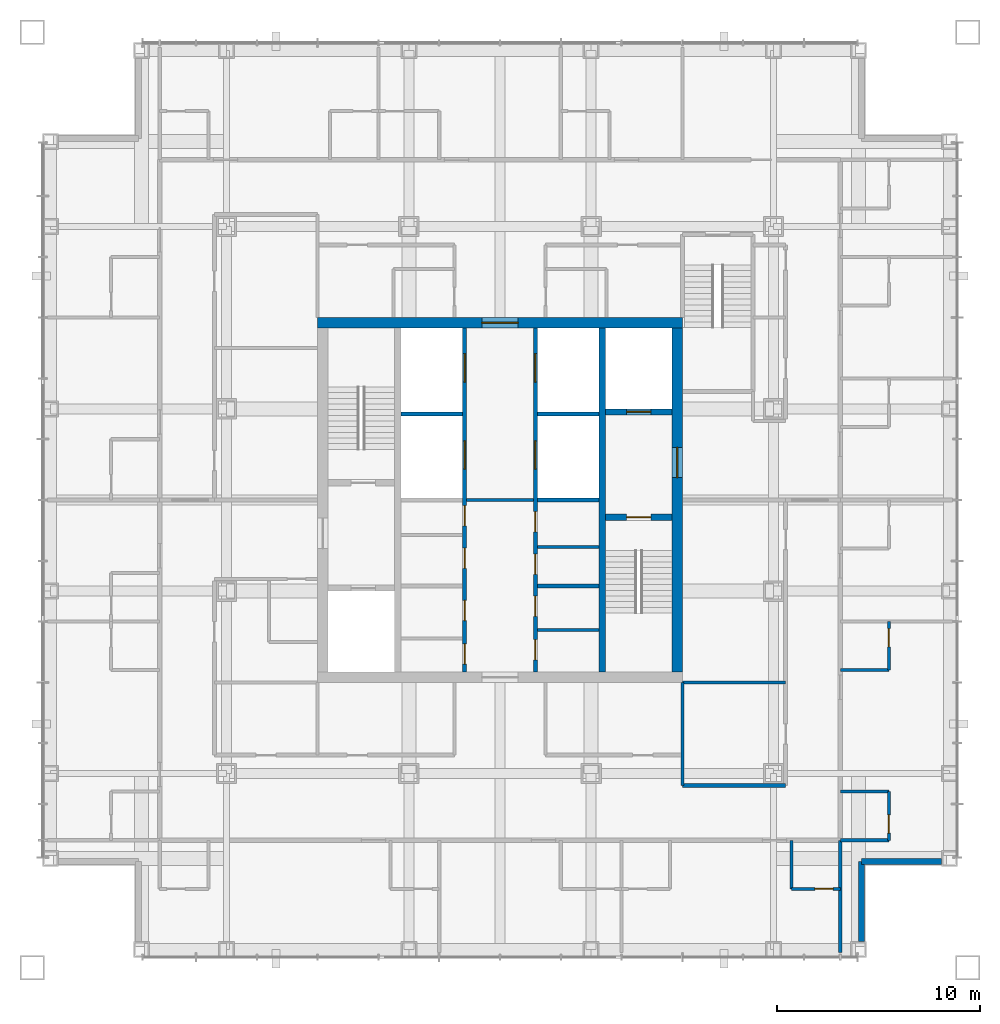
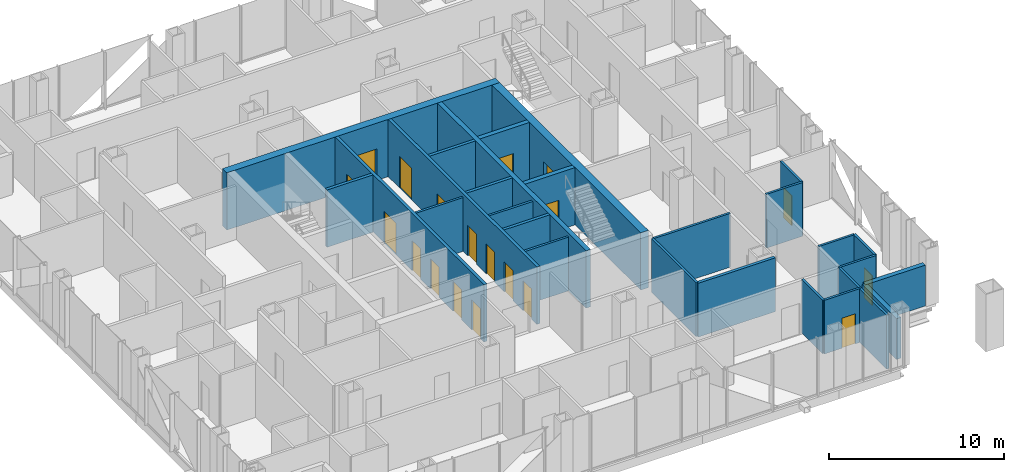
# One storey, part 9 of 17: 27 walls, 19 doors, 19 openings.
"""IFC4 building model written with IfcOpenShell, lengths in metres."""

from ifc_helpers import new_model, si_unit, direction, frame, frame_2d, origin, place, context, subcontext, project, spatial, rectangle, extrude, material, layer, layer_set, type_object, element, fill, save


model = new_model("IFC4")

# Units and contexts
model_context = context("Model", 3, precision=1e-05, world=origin(), true_north=direction((0.0, 1.0)))
body_context = subcontext(model_context, "Body", "Model", "MODEL_VIEW")
ifc_project = project(units=[si_unit("LENGTHUNIT", "METRE"), si_unit("AREAUNIT", "SQUARE_METRE"), si_unit("VOLUMEUNIT", "CUBIC_METRE"), si_unit("PLANEANGLEUNIT", "RADIAN"), si_unit("MASSUNIT", "GRAM", prefix="KILO")], contexts=[model_context])

# Site, building, storey
site_placement = place(None, origin())
site = spatial("IfcSite", under=ifc_project, at=site_placement, CompositionType="ELEMENT")
building_placement = place(site_placement, origin())
building = spatial("IfcBuilding", under=site, at=building_placement, Name="Malebo Sky Hospital", CompositionType="ELEMENT")
storey_placement = place(building_placement, frame((0.0, 0.0, 185.0)))
storey = spatial("IfcBuildingStorey", under=building, at=storey_placement, Name="L44", CompositionType="ELEMENT", Elevation=185.0)

# Wall, openings, doors
ifc_material_1 = material(Name="Concrete C80/95", Category="concrete")
ifc_layer_1 = layer(ifc_material_1, 0.199951171875)
ifc_layer_set_1 = layer_set([ifc_layer_1], Name="CORE INNER WALL 200")
wall_type_1 = type_object("IfcWallType", Name="CORE INNER WALL 200", PredefinedType="SHEAR", material=ifc_layer_set_1)
wall_1_placement = place(storey_placement, frame((58.25, 53.5, 0.0), z_axis=(0.0, 0.0, 1.0), x_axis=(0.0, 1.0, 0.0)))
wall_1 = element("IfcWall", 1, at=wall_1_placement, inside=storey, type_object=wall_type_1, Name="Core wall LW L44", PredefinedType="SHEAR", context=body_context, shape_type="SweptSolid", body=[
    extrude(rectangle(XDim=17.0, YDim=0.199951171875, at=frame_2d((8.5, 0.0))), origin(), (0.0, 0.0, 1.0), 4.0),
])
opening_1_placement = place(wall_1_placement, frame((0.392578125, 0.0, 0.0)))
opening_1 = element("IfcOpeningElement", 2, at=opening_1_placement, cuts=wall_1, Name="Opening D17", PredefinedType="OPENING", context=body_context, shape_type="SweptSolid", body=[
    extrude(rectangle(XDim=1.0, YDim=2.10009765625, at=frame_2d((0.5, 1.050048828125))), frame((0.0, 0.10986328125, 0.0), z_axis=(0.0, -1.0, 0.0), x_axis=(1.0, 0.0, 0.0)), (0.0, 0.0, 1.0), 0.219970703125),
])
opening_2_placement = place(wall_1_placement, frame((2.54248046875, 0.0, 0.0)))
opening_2 = element("IfcOpeningElement", 3, at=opening_2_placement, cuts=wall_1, Name="Opening D17", PredefinedType="OPENING", context=body_context, shape_type="SweptSolid", body=[
    extrude(rectangle(XDim=1.0, YDim=2.10009765625, at=frame_2d((0.5, 1.050048828125))), frame((0.0, 0.10986328125, 0.0), z_axis=(0.0, -1.0, 0.0), x_axis=(1.0, 0.0, 0.0)), (0.0, 0.0, 1.0), 0.219970703125),
])
opening_3_placement = place(wall_1_placement, frame((5.12744140625, 0.0, 0.0)))
opening_3 = element("IfcOpeningElement", 4, at=opening_3_placement, cuts=wall_1, Name="Opening D17", PredefinedType="OPENING", context=body_context, shape_type="SweptSolid", body=[
    extrude(rectangle(XDim=1.0, YDim=2.10009765625, at=frame_2d((0.5, 1.050048828125))), frame((0.0, 0.10986328125, 0.0), z_axis=(0.0, -1.0, 0.0), x_axis=(1.0, 0.0, 0.0)), (0.0, 0.0, 1.0), 0.219970703125),
])
opening_4_placement = place(wall_1_placement, frame((7.2275390625, 0.0, 0.0)))
opening_4 = element("IfcOpeningElement", 5, at=opening_4_placement, cuts=wall_1, Name="Opening D17", PredefinedType="OPENING", context=body_context, shape_type="SweptSolid", body=[
    extrude(rectangle(XDim=1.0, YDim=2.10009765625, at=frame_2d((0.5, 1.050048828125))), frame((0.0, 0.10986328125, 0.0), z_axis=(0.0, -1.0, 0.0), x_axis=(1.0, 0.0, 0.0)), (0.0, 0.0, 1.0), 0.219970703125),
])
opening_5_placement = place(wall_1_placement, frame((10.02490234375, 0.0, 0.0)))
opening_5 = element("IfcOpeningElement", 6, at=opening_5_placement, cuts=wall_1, Name="Opening LD1", PredefinedType="OPENING", context=body_context, shape_type="SweptSolid", body=[
    extrude(rectangle(XDim=1.39990234375, YDim=2.199951171875, at=frame_2d((0.699951171875, 1.10009765625))), frame((0.0, 0.10986328125, 0.0), z_axis=(0.0, -1.0, 0.0), x_axis=(1.0, 0.0, 0.0)), (0.0, 0.0, 1.0), 0.219970703125),
])
opening_6_placement = place(wall_1_placement, frame((14.324951171875, 0.0, 0.0)))
opening_6 = element("IfcOpeningElement", 7, at=opening_6_placement, cuts=wall_1, Name="Opening LD1", PredefinedType="OPENING", context=body_context, shape_type="SweptSolid", body=[
    extrude(rectangle(XDim=1.39990234375, YDim=2.199951171875, at=frame_2d((0.699951171875, 1.10009765625))), frame((0.0, 0.10986328125, 0.0), z_axis=(0.0, -1.0, 0.0), x_axis=(1.0, 0.0, 0.0)), (0.0, 0.0, 1.0), 0.219970703125),
])
ifc_material_2 = material(Name="Hardwood-faced door leaf in steel frame", Category="steel")
door_type_1 = type_object("IfcDoorType", Name="FIRE DOOR 1000", OperationType="SINGLE_SWING_LEFT", PredefinedType="DOOR", material=ifc_material_2)
door_1_placement = place(opening_1_placement, origin())
door_1 = element("IfcDoor", 8, at=door_1_placement, inside=storey, type_object=door_type_1, Name="Supplies store door", OperationType="SINGLE_SWING_RIGHT", OverallHeight=2.10009765625, OverallWidth=1.0, PredefinedType="DOOR", context=body_context, shape_type="SweptSolid", body=[
    extrude(rectangle(XDim=1.0, YDim=2.10009765625, at=frame_2d((0.5, 1.050048828125))), frame((0.0, 0.02490234375, 0.0), z_axis=(0.0, -1.0, 0.0), x_axis=(1.0, 0.0, 0.0)), (0.0, 0.0, 1.0), 0.050048828125),
])
fill(opening_1, door_1)
door_2_placement = place(opening_2_placement, origin())
door_2 = element("IfcDoor", 9, at=door_2_placement, inside=storey, type_object=door_type_1, Name="Mattress store door", OperationType="SINGLE_SWING_RIGHT", OverallHeight=2.10009765625, OverallWidth=1.0, PredefinedType="DOOR", context=body_context, shape_type="SweptSolid", body=[
    extrude(rectangle(XDim=1.0, YDim=2.10009765625, at=frame_2d((0.5, 1.050048828125))), frame((0.0, 0.02490234375, 0.0), z_axis=(0.0, -1.0, 0.0), x_axis=(1.0, 0.0, 0.0)), (0.0, 0.0, 1.0), 0.050048828125),
])
fill(opening_2, door_2)
door_3_placement = place(opening_3_placement, origin())
door_3 = element("IfcDoor", 10, at=door_3_placement, inside=storey, type_object=door_type_1, Name="Cleaning equipment store door", OperationType="SINGLE_SWING_RIGHT", OverallHeight=2.10009765625, OverallWidth=1.0, PredefinedType="DOOR", context=body_context, shape_type="SweptSolid", body=[
    extrude(rectangle(XDim=1.0, YDim=2.10009765625, at=frame_2d((0.5, 1.050048828125))), frame((0.0, 0.02490234375, 0.0), z_axis=(0.0, -1.0, 0.0), x_axis=(1.0, 0.0, 0.0)), (0.0, 0.0, 1.0), 0.050048828125),
])
fill(opening_3, door_3)
door_4_placement = place(opening_4_placement, origin())
door_4 = element("IfcDoor", 11, at=door_4_placement, inside=storey, type_object=door_type_1, Name="Archive store door", OperationType="SINGLE_SWING_RIGHT", OverallHeight=2.10009765625, OverallWidth=1.0, PredefinedType="DOOR", context=body_context, shape_type="SweptSolid", body=[
    extrude(rectangle(XDim=1.0, YDim=2.10009765625, at=frame_2d((0.5, 1.050048828125))), frame((0.0, 0.02490234375, 0.0), z_axis=(0.0, -1.0, 0.0), x_axis=(1.0, 0.0, 0.0)), (0.0, 0.0, 1.0), 0.050048828125),
])
fill(opening_4, door_4)
ifc_material_3 = material(Name="Stainless steel sliding landing door", Category="steel")
door_type_2 = type_object("IfcDoorType", Name="LIFT LANDING DOOR 1400", OperationType="SLIDING_TO_LEFT", PredefinedType="DOOR", material=ifc_material_3)
door_5_placement = place(opening_5_placement, origin())
door_5 = element("IfcDoor", 12, at=door_5_placement, inside=storey, type_object=door_type_2, Name="Lift W3 landing door", OperationType="SLIDING_TO_LEFT", OverallHeight=2.199951171875, OverallWidth=1.39990234375, PredefinedType="DOOR", context=body_context, shape_type="SweptSolid", body=[
    extrude(rectangle(XDim=1.39990234375, YDim=2.199951171875, at=frame_2d((0.699951171875, 1.10009765625))), frame((0.0, 0.02490234375, 0.0), z_axis=(0.0, -1.0, 0.0), x_axis=(1.0, 0.0, 0.0)), (0.0, 0.0, 1.0), 0.050048828125),
])
fill(opening_5, door_5)
door_6_placement = place(opening_6_placement, origin())
door_6 = element("IfcDoor", 13, at=door_6_placement, inside=storey, type_object=door_type_2, Name="Lift W4 landing door", OperationType="SLIDING_TO_LEFT", OverallHeight=2.199951171875, OverallWidth=1.39990234375, PredefinedType="DOOR", context=body_context, shape_type="SweptSolid", body=[
    extrude(rectangle(XDim=1.39990234375, YDim=2.199951171875, at=frame_2d((0.699951171875, 1.10009765625))), frame((0.0, 0.02490234375, 0.0), z_axis=(0.0, -1.0, 0.0), x_axis=(1.0, 0.0, 0.0)), (0.0, 0.0, 1.0), 0.050048828125),
])
fill(opening_6, door_6)

wall_2_placement = place(storey_placement, frame((61.75, 53.5, 0.0), z_axis=(0.0, 0.0, 1.0), x_axis=(0.0, 1.0, 0.0)))
wall_2 = element("IfcWall", 14, at=wall_2_placement, inside=storey, type_object=wall_type_1, Name="Core wall LE L44", PredefinedType="SHEAR", context=body_context, shape_type="SweptSolid", body=[
    extrude(rectangle(XDim=17.0, YDim=0.199951171875, at=frame_2d((8.5, 0.0))), origin(), (0.0, 0.0, 1.0), 4.0),
])
opening_7_placement = place(wall_2_placement, frame((0.60009765625, 0.0, 0.0)))
opening_7 = element("IfcOpeningElement", 15, at=opening_7_placement, cuts=wall_2, Name="Opening D17", PredefinedType="OPENING", context=body_context, shape_type="SweptSolid", body=[
    extrude(rectangle(XDim=1.0, YDim=2.10009765625, at=frame_2d((0.5, 1.050048828125))), frame((0.0, 0.10986328125, 0.0), z_axis=(0.0, -1.0, 0.0), x_axis=(1.0, 0.0, 0.0)), (0.0, 0.0, 1.0), 0.219970703125),
])
opening_8_placement = place(wall_2_placement, frame((2.75, 0.0, 0.0)))
opening_8 = element("IfcOpeningElement", 16, at=opening_8_placement, cuts=wall_2, Name="Opening D17", PredefinedType="OPENING", context=body_context, shape_type="SweptSolid", body=[
    extrude(rectangle(XDim=1.0, YDim=2.10009765625, at=frame_2d((0.5, 1.050048828125))), frame((0.0, 0.10986328125, 0.0), z_axis=(0.0, -1.0, 0.0), x_axis=(1.0, 0.0, 0.0)), (0.0, 0.0, 1.0), 0.219970703125),
])
opening_9_placement = place(wall_2_placement, frame((4.823974609375, 0.0, 0.0)))
opening_9 = element("IfcOpeningElement", 17, at=opening_9_placement, cuts=wall_2, Name="Opening D17", PredefinedType="OPENING", context=body_context, shape_type="SweptSolid", body=[
    extrude(rectangle(XDim=1.0, YDim=2.10009765625, at=frame_2d((0.5, 1.050048828125))), frame((0.0, 0.10986328125, 0.0), z_axis=(0.0, -1.0, 0.0), x_axis=(1.0, 0.0, 0.0)), (0.0, 0.0, 1.0), 0.219970703125),
])
opening_10_placement = place(wall_2_placement, frame((6.924072265625, 0.0, 0.0)))
opening_10 = element("IfcOpeningElement", 18, at=opening_10_placement, cuts=wall_2, Name="Opening D17", PredefinedType="OPENING", context=body_context, shape_type="SweptSolid", body=[
    extrude(rectangle(XDim=1.0, YDim=2.10009765625, at=frame_2d((0.5, 1.050048828125))), frame((0.0, 0.10986328125, 0.0), z_axis=(0.0, -1.0, 0.0), x_axis=(1.0, 0.0, 0.0)), (0.0, 0.0, 1.0), 0.219970703125),
])
opening_11_placement = place(wall_2_placement, frame((10.02490234375, 0.0, 0.0)))
opening_11 = element("IfcOpeningElement", 19, at=opening_11_placement, cuts=wall_2, Name="Opening LD1", PredefinedType="OPENING", context=body_context, shape_type="SweptSolid", body=[
    extrude(rectangle(XDim=1.39990234375, YDim=2.199951171875, at=frame_2d((0.699951171875, 1.10009765625))), frame((0.0, 0.10986328125, 0.0), z_axis=(0.0, -1.0, 0.0), x_axis=(1.0, 0.0, 0.0)), (0.0, 0.0, 1.0), 0.219970703125),
])
opening_12_placement = place(wall_2_placement, frame((14.324951171875, 0.0, 0.0)))
opening_12 = element("IfcOpeningElement", 20, at=opening_12_placement, cuts=wall_2, Name="Opening LD1", PredefinedType="OPENING", context=body_context, shape_type="SweptSolid", body=[
    extrude(rectangle(XDim=1.39990234375, YDim=2.199951171875, at=frame_2d((0.699951171875, 1.10009765625))), frame((0.0, 0.10986328125, 0.0), z_axis=(0.0, -1.0, 0.0), x_axis=(1.0, 0.0, 0.0)), (0.0, 0.0, 1.0), 0.219970703125),
])
door_7_placement = place(opening_7_placement, origin())
door_7 = element("IfcDoor", 21, at=door_7_placement, inside=storey, type_object=door_type_1, Name="General store door", OperationType="SINGLE_SWING_RIGHT", OverallHeight=2.10009765625, OverallWidth=1.0, PredefinedType="DOOR", context=body_context, shape_type="SweptSolid", body=[
    extrude(rectangle(XDim=1.0, YDim=2.10009765625, at=frame_2d((0.5, 1.050048828125))), frame((0.0, 0.02490234375, 0.0), z_axis=(0.0, -1.0, 0.0), x_axis=(1.0, 0.0, 0.0)), (0.0, 0.0, 1.0), 0.050048828125),
])
fill(opening_7, door_7)
door_8_placement = place(opening_8_placement, origin())
door_8 = element("IfcDoor", 22, at=door_8_placement, inside=storey, type_object=door_type_1, Name="Records store door", OperationType="SINGLE_SWING_RIGHT", OverallHeight=2.10009765625, OverallWidth=1.0, PredefinedType="DOOR", context=body_context, shape_type="SweptSolid", body=[
    extrude(rectangle(XDim=1.0, YDim=2.10009765625, at=frame_2d((0.5, 1.050048828125))), frame((0.0, 0.02490234375, 0.0), z_axis=(0.0, -1.0, 0.0), x_axis=(1.0, 0.0, 0.0)), (0.0, 0.0, 1.0), 0.050048828125),
])
fill(opening_8, door_8)
door_9_placement = place(opening_9_placement, origin())
door_9 = element("IfcDoor", 23, at=door_9_placement, inside=storey, type_object=door_type_1, Name="Equipment store door", OperationType="SINGLE_SWING_RIGHT", OverallHeight=2.10009765625, OverallWidth=1.0, PredefinedType="DOOR", context=body_context, shape_type="SweptSolid", body=[
    extrude(rectangle(XDim=1.0, YDim=2.10009765625, at=frame_2d((0.5, 1.050048828125))), frame((0.0, 0.02490234375, 0.0), z_axis=(0.0, -1.0, 0.0), x_axis=(1.0, 0.0, 0.0)), (0.0, 0.0, 1.0), 0.050048828125),
])
fill(opening_9, door_9)
door_10_placement = place(opening_10_placement, origin())
door_10 = element("IfcDoor", 24, at=door_10_placement, inside=storey, type_object=door_type_1, Name="Linen store door", OperationType="SINGLE_SWING_RIGHT", OverallHeight=2.10009765625, OverallWidth=1.0, PredefinedType="DOOR", context=body_context, shape_type="SweptSolid", body=[
    extrude(rectangle(XDim=1.0, YDim=2.10009765625, at=frame_2d((0.5, 1.050048828125))), frame((0.0, 0.02490234375, 0.0), z_axis=(0.0, -1.0, 0.0), x_axis=(1.0, 0.0, 0.0)), (0.0, 0.0, 1.0), 0.050048828125),
])
fill(opening_10, door_10)
door_11_placement = place(opening_11_placement, origin())
door_11 = element("IfcDoor", 25, at=door_11_placement, inside=storey, type_object=door_type_2, Name="Lift E3 landing door", OperationType="SLIDING_TO_LEFT", OverallHeight=2.199951171875, OverallWidth=1.39990234375, PredefinedType="DOOR", context=body_context, shape_type="SweptSolid", body=[
    extrude(rectangle(XDim=1.39990234375, YDim=2.199951171875, at=frame_2d((0.699951171875, 1.10009765625))), frame((0.0, 0.02490234375, 0.0), z_axis=(0.0, -1.0, 0.0), x_axis=(1.0, 0.0, 0.0)), (0.0, 0.0, 1.0), 0.050048828125),
])
fill(opening_11, door_11)
door_12_placement = place(opening_12_placement, origin())
door_12 = element("IfcDoor", 26, at=door_12_placement, inside=storey, type_object=door_type_2, Name="Lift E4 landing door", OperationType="SLIDING_TO_LEFT", OverallHeight=2.199951171875, OverallWidth=1.39990234375, PredefinedType="DOOR", context=body_context, shape_type="SweptSolid", body=[
    extrude(rectangle(XDim=1.39990234375, YDim=2.199951171875, at=frame_2d((0.699951171875, 1.10009765625))), frame((0.0, 0.02490234375, 0.0), z_axis=(0.0, -1.0, 0.0), x_axis=(1.0, 0.0, 0.0)), (0.0, 0.0, 1.0), 0.050048828125),
])
fill(opening_12, door_12)

# Walls
for number, where, z_axis, x_axis, name in (
    (27, (61.85009765625, 57.75, 0.0), (0.0, 0.0, 1.0), (1.0, 0.0, 0.0), "Core wall SE0 L44"),
    (28, (61.85009765625, 62.0, 0.0), (0.0, 0.0, 1.0), (1.0, 0.0, 0.0), "Core wall SE1 L44"),
    (29, (55.10009765625, 66.25, 0.0), (0.0, 0.0, 1.0), (1.0, 0.0, 0.0), "Core wall SW2 L44"),
    (30, (61.85009765625, 66.25, 0.0), (0.0, 0.0, 1.0), (1.0, 0.0, 0.0), "Core wall SE2 L44"),
):
    element("IfcWall", number, at=place(storey_placement, frame(where, z_axis=z_axis, x_axis=x_axis)), inside=storey, type_object=wall_type_1, Name=name, PredefinedType="SHEAR", context=body_context, shape_type="SweptSolid", body=[
        extrude(rectangle(XDim=3.0498046875, YDim=0.199951171875, at=frame_2d((1.52490234375, 0.0))), origin(), (0.0, 0.0, 1.0), 4.0),
    ])
ifc_layer_2 = layer(ifc_material_1, 0.300048828125)
ifc_layer_set_2 = layer_set([ifc_layer_2], Name="CORE INNER WALL 300")
wall_type_2 = type_object("IfcWallType", Name="CORE INNER WALL 300", PredefinedType="SHEAR", material=ifc_layer_set_2)
wall_3_placement = place(storey_placement, frame((65.050048828125, 53.5, 0.0), z_axis=(0.0, 0.0, 1.0), x_axis=(0.0, 1.0, 0.0)))
element("IfcWall", 31, at=wall_3_placement, inside=storey, type_object=wall_type_2, Name="Core wall XE L44", PredefinedType="SHEAR", context=body_context, shape_type="SweptSolid", body=[
    extrude(rectangle(XDim=17.0, YDim=0.300048828125, at=frame_2d((8.5, 0.0))), origin(), (0.0, 0.0, 1.0), 4.0),
])

# Wall, opening, door
wall_4_placement = place(storey_placement, frame((65.199951171875, 61.14990234375, 0.0), z_axis=(0.0, 0.0, 1.0), x_axis=(1.0, 0.0, 0.0)))
wall_4 = element("IfcWall", 32, at=wall_4_placement, inside=storey, type_object=wall_type_2, Name="Core wall E1 L44", PredefinedType="SHEAR", context=body_context, shape_type="SweptSolid", body=[
    extrude(rectangle(XDim=3.300048828125, YDim=0.300048828125, at=frame_2d((1.64990234375, 0.0))), origin(), (0.0, 0.0, 1.0), 4.0),
])
opening_13_placement = place(wall_4_placement, frame((1.050048828125, 0.0, 0.0)))
opening_13 = element("IfcOpeningElement", 33, at=opening_13_placement, cuts=wall_4, Name="Opening D08", PredefinedType="OPENING", context=body_context, shape_type="SweptSolid", body=[
    extrude(rectangle(XDim=1.199951171875, YDim=2.10009765625, at=frame_2d((0.60009765625, 1.050048828125))), frame((0.0, 0.159912109375, 0.0), z_axis=(0.0, -1.0, 0.0), x_axis=(1.0, 0.0, 0.0)), (0.0, 0.0, 1.0), 0.320068359375),
])
door_type_3 = type_object("IfcDoorType", Name="STAIR DOOR 1200", OperationType="SINGLE_SWING_LEFT", PredefinedType="DOOR", material=ifc_material_2)
door_13_placement = place(opening_13_placement, origin())
door_13 = element("IfcDoor", 34, at=door_13_placement, inside=storey, type_object=door_type_3, Name="Stair S2 door", OperationType="SINGLE_SWING_LEFT", OverallHeight=2.10009765625, OverallWidth=1.199951171875, PredefinedType="DOOR", context=body_context, shape_type="SweptSolid", body=[
    extrude(rectangle(XDim=1.199951171875, YDim=2.10009765625, at=frame_2d((0.60009765625, 1.050048828125))), frame((0.0, 0.02490234375, 0.0), z_axis=(0.0, -1.0, 0.0), x_axis=(1.0, 0.0, 0.0)), (0.0, 0.0, 1.0), 0.050048828125),
])
fill(opening_13, door_13)

wall_5_placement = place(storey_placement, frame((65.199951171875, 66.35009765625, 0.0), z_axis=(0.0, 0.0, 1.0), x_axis=(1.0, 0.0, 0.0)))
wall_5 = element("IfcWall", 35, at=wall_5_placement, inside=storey, type_object=wall_type_2, Name="Core wall E2 L44", PredefinedType="SHEAR", context=body_context, shape_type="SweptSolid", body=[
    extrude(rectangle(XDim=3.300048828125, YDim=0.300048828125, at=frame_2d((1.64990234375, 0.0))), origin(), (0.0, 0.0, 1.0), 4.0),
])
opening_14_placement = place(wall_5_placement, frame((1.050048828125, 0.0, 0.0)))
opening_14 = element("IfcOpeningElement", 36, at=opening_14_placement, cuts=wall_5, Name="Opening LD2", PredefinedType="OPENING", context=body_context, shape_type="SweptSolid", body=[
    extrude(rectangle(XDim=1.199951171875, YDim=2.199951171875, at=frame_2d((0.60009765625, 1.10009765625))), frame((0.0, 0.159912109375, 0.0), z_axis=(0.0, -1.0, 0.0), x_axis=(1.0, 0.0, 0.0)), (0.0, 0.0, 1.0), 0.320068359375),
])
door_type_4 = type_object("IfcDoorType", Name="FIRE-FIGHTING LIFT LANDING DOOR 1200", OperationType="SLIDING_TO_LEFT", PredefinedType="DOOR", material=ifc_material_3)
door_14_placement = place(opening_14_placement, origin())
door_14 = element("IfcDoor", 37, at=door_14_placement, inside=storey, type_object=door_type_4, Name="Lift FL2 landing door", OperationType="SLIDING_TO_LEFT", OverallHeight=2.199951171875, OverallWidth=1.199951171875, PredefinedType="DOOR", context=body_context, shape_type="SweptSolid", body=[
    extrude(rectangle(XDim=1.199951171875, YDim=2.199951171875, at=frame_2d((0.60009765625, 1.10009765625))), frame((0.0, 0.02490234375, 0.0), z_axis=(0.0, -1.0, 0.0), x_axis=(1.0, 0.0, 0.0)), (0.0, 0.0, 1.0), 0.050048828125),
])
fill(opening_14, door_14)

ifc_layer_3 = layer(ifc_material_1, 0.5)
ifc_layer_set_3 = layer_set([ifc_layer_3], Name="CORE WALL 500")
wall_type_3 = type_object("IfcWallType", Name="CORE WALL 500", PredefinedType="SHEAR", material=ifc_layer_set_3)
wall_6_placement = place(storey_placement, frame((51.0, 70.75, 0.0), z_axis=(0.0, 0.0, 1.0), x_axis=(1.0, 0.0, 0.0)))
wall_6 = element("IfcWall", 38, at=wall_6_placement, inside=storey, type_object=wall_type_3, Name="Core wall N L44", PredefinedType="SHEAR", context=body_context, shape_type="SweptSolid", body=[
    extrude(rectangle(XDim=18.0, YDim=0.5, at=frame_2d((9.0, 0.0))), origin(), (0.0, 0.0, 1.0), 4.0),
])
opening_15_placement = place(wall_6_placement, frame((8.10009765625, 0.0, 0.0)))
opening_15 = element("IfcOpeningElement", 39, at=opening_15_placement, cuts=wall_6, Name="Opening D06", PredefinedType="OPENING", context=body_context, shape_type="SweptSolid", body=[
    extrude(rectangle(XDim=1.800048828125, YDim=2.199951171875, at=frame_2d((0.89990234375, 1.10009765625))), frame((0.0, 0.260009765625, 0.0), z_axis=(0.0, -1.0, 0.0), x_axis=(1.0, 0.0, 0.0)), (0.0, 0.0, 1.0), 0.52001953125),
])
door_type_5 = type_object("IfcDoorType", Name="LOBBY DOOR PAIR 1800", OperationType="DOUBLE_DOOR_SINGLE_SWING", PredefinedType="DOOR", material=ifc_material_2)
door_15_placement = place(opening_15_placement, origin())
door_15 = element("IfcDoor", 40, at=door_15_placement, inside=storey, type_object=door_type_5, Name="Lift lobby door north", OperationType="DOUBLE_DOOR_SINGLE_SWING", OverallHeight=2.199951171875, OverallWidth=1.800048828125, PredefinedType="DOOR", context=body_context, shape_type="SweptSolid", body=[
    extrude(rectangle(XDim=1.800048828125, YDim=2.199951171875, at=frame_2d((0.89990234375, 1.10009765625))), frame((0.0, 0.02490234375, 0.0), z_axis=(0.0, -1.0, 0.0), x_axis=(1.0, 0.0, 0.0)), (0.0, 0.0, 1.0), 0.050048828125),
])
fill(opening_15, door_15)

wall_7_placement = place(storey_placement, frame((68.75, 53.5, 0.0), z_axis=(0.0, 0.0, 1.0), x_axis=(0.0, 1.0, 0.0)))
wall_7 = element("IfcWall", 41, at=wall_7_placement, inside=storey, type_object=wall_type_3, Name="Core wall E L44", PredefinedType="SHEAR", context=body_context, shape_type="SweptSolid", body=[
    extrude(rectangle(XDim=17.0, YDim=0.5, at=frame_2d((8.5, 0.0))), origin(), (0.0, 0.0, 1.0), 4.0),
])
opening_16_placement = place(wall_7_placement, frame((9.60009765625, 0.0, 0.0)))
opening_16 = element("IfcOpeningElement", 42, at=opening_16_placement, cuts=wall_7, Name="Opening D07", PredefinedType="OPENING", context=body_context, shape_type="SweptSolid", body=[
    extrude(rectangle(XDim=1.5, YDim=2.199951171875, at=frame_2d((0.75, 1.10009765625))), frame((0.0, 0.260009765625, 0.0), z_axis=(0.0, -1.0, 0.0), x_axis=(1.0, 0.0, 0.0)), (0.0, 0.0, 1.0), 0.52001953125),
])
door_type_6 = type_object("IfcDoorType", Name="FIRE-FIGHTING LOBBY DOOR PAIR 1500", OperationType="DOUBLE_DOOR_SINGLE_SWING", PredefinedType="DOOR", material=ifc_material_2)
door_16_placement = place(opening_16_placement, origin())
door_16 = element("IfcDoor", 43, at=door_16_placement, inside=storey, type_object=door_type_6, Name="Fire-fighting lobby door east", OperationType="DOUBLE_DOOR_SINGLE_SWING", OverallHeight=2.199951171875, OverallWidth=1.5, PredefinedType="DOOR", context=body_context, shape_type="SweptSolid", body=[
    extrude(rectangle(XDim=1.5, YDim=2.199951171875, at=frame_2d((0.75, 1.10009765625))), frame((0.0, 0.02490234375, 0.0), z_axis=(0.0, -1.0, 0.0), x_axis=(1.0, 0.0, 0.0)), (0.0, 0.0, 1.0), 0.050048828125),
])
fill(opening_16, door_16)

# Walls
ifc_material_4 = material(Name="Gypsum board on steel studs", Category="steel")
ifc_layer_4 = layer(ifc_material_4, 0.199951171875)
ifc_layer_set_4 = layer_set([ifc_layer_4], Name="CORRIDOR WALL 200")
wall_type_4 = type_object("IfcWallType", Name="CORRIDOR WALL 200", PredefinedType="PARTITIONING", material=ifc_layer_set_4)
wall_8_placement = place(storey_placement, frame((74.10009765625, 47.89990234375, 0.0), z_axis=(0.0, 0.0, 1.0), x_axis=(-1.0, 0.0, 0.0)))
element("IfcWall", 44, at=wall_8_placement, inside=storey, type_object=wall_type_4, Name="Corridor Wall 200 SCIK", PredefinedType="PARTITIONING", context=body_context, shape_type="SweptSolid", body=[
    extrude(rectangle(XDim=5.10009765625, YDim=0.199951171875, at=frame_2d((2.550048828125, 0.0))), origin(), (0.0, 0.0, 1.0), 3.75),
])
ifc_material_5 = material(Name="Anodised aluminium rainscreen on steel framing", Category="steel")
ifc_layer_5 = layer(ifc_material_5, 0.300048828125)
ifc_layer_set_5 = layer_set([ifc_layer_5], Name="NOTCH RAINSCREEN WALL 300")
wall_type_5 = type_object("IfcWallType", Name="NOTCH RAINSCREEN WALL 300", PredefinedType="ELEMENTEDWALL", material=ifc_layer_set_5)
for number, where, z_axis, x_axis, name in (
    (45, (81.800048828125, 44.14990234375, 0.0), (0.0, 0.0, 1.0), (-1.0, 0.0, 0.0), "Notch rainscreen wall E1 L44"),
    (46, (77.85009765625, 44.14990234375, 0.0), (0.0, 0.0, 1.0), (0.0, -1.0, 0.0), "Notch rainscreen wall E2 L44"),
):
    element("IfcWall", number, at=place(storey_placement, frame(where, z_axis=z_axis, x_axis=x_axis)), inside=storey, type_object=wall_type_5, Name=name, PredefinedType="ELEMENTEDWALL", context=body_context, shape_type="SweptSolid", body=[
        extrude(rectangle(XDim=3.949951171875, YDim=0.300048828125, at=frame_2d((1.97509765625, 0.0))), origin(), (0.0, 0.0, 1.0), 2.85009765625),
    ])
ifc_layer_6 = layer(ifc_material_4, 0.14990234375)
ifc_layer_set_6 = layer_set([ifc_layer_6], Name="PARTITION 150")
wall_type_6 = type_object("IfcWallType", Name="PARTITION 150", PredefinedType="PARTITIONING", material=ifc_layer_set_6)
wall_9_placement = place(storey_placement, frame((76.800048828125, 45.199951171875, 0.0), z_axis=(0.0, 0.0, 1.0), x_axis=(0.0, -1.0, 0.0)))
element("IfcWall", 47, at=wall_9_placement, inside=storey, type_object=wall_type_6, Name="Partition 150 SP0", PredefinedType="PARTITIONING", context=body_context, shape_type="SweptSolid", body=[
    extrude(rectangle(XDim=5.550048828125, YDim=0.14990234375, at=frame_2d((2.77490234375, 0.0))), origin(), (0.0, 0.0, 1.0), 3.75),
])

# Wall, opening, door
wall_10_placement = place(storey_placement, frame((76.800048828125, 42.800048828125, 0.0), z_axis=(0.0, 0.0, 1.0), x_axis=(-1.0, 0.0, 0.0)))
wall_10 = element("IfcWall", 48, at=wall_10_placement, inside=storey, type_object=wall_type_6, Name="Partition 150 SE0F", PredefinedType="PARTITIONING", context=body_context, shape_type="SweptSolid", body=[
    extrude(rectangle(XDim=2.400146484375, YDim=0.14990234375, at=frame_2d((1.2001953125, 0.0))), origin(), (0.0, 0.0, 1.0), 3.75),
])
opening_17_placement = place(wall_10_placement, frame((0.35009765625, 0.0, 0.0)))
opening_17 = element("IfcOpeningElement", 49, at=opening_17_placement, cuts=wall_10, Name="Opening D02", PredefinedType="OPENING", context=body_context, shape_type="SweptSolid", body=[
    extrude(rectangle(XDim=0.89990234375, YDim=2.10009765625, at=frame_2d((0.449951171875, 1.050048828125))), frame((0.0, 0.0849609375, 0.0), z_axis=(0.0, -1.0, 0.0), x_axis=(1.0, 0.0, 0.0)), (0.0, 0.0, 1.0), 0.169921875),
])
door_type_7 = type_object("IfcDoorType", Name="EN-SUITE DOOR 900", OperationType="SINGLE_SWING_LEFT", PredefinedType="DOOR", material=ifc_material_2)
door_17_placement = place(opening_17_placement, origin())
door_17 = element("IfcDoor", 50, at=door_17_placement, inside=storey, type_object=door_type_7, Name="En-suite door", OperationType="SINGLE_SWING_LEFT", OverallHeight=2.10009765625, OverallWidth=0.89990234375, PredefinedType="DOOR", context=body_context, shape_type="SweptSolid", body=[
    extrude(rectangle(XDim=0.89990234375, YDim=2.10009765625, at=frame_2d((0.449951171875, 1.050048828125))), frame((0.0, 0.02490234375, 0.0), z_axis=(0.0, -1.0, 0.0), x_axis=(1.0, 0.0, 0.0)), (0.0, 0.0, 1.0), 0.050048828125),
])
fill(opening_17, door_17)

# Walls
wall_11_placement = place(storey_placement, frame((74.39990234375, 45.199951171875, 0.0), z_axis=(0.0, 0.0, 1.0), x_axis=(0.0, -1.0, 0.0)))
element("IfcWall", 51, at=wall_11_placement, inside=storey, type_object=wall_type_6, Name="Partition 150 SE0S", PredefinedType="PARTITIONING", context=body_context, shape_type="SweptSolid", body=[
    extrude(rectangle(XDim=2.39990234375, YDim=0.14990234375, at=frame_2d((1.199951171875, 0.0))), origin(), (0.0, 0.0, 1.0), 3.75),
])
wall_12_placement = place(storey_placement, frame((69.0, 53.0, 0.0), z_axis=(0.0, 0.0, 1.0), x_axis=(0.0, -1.0, 0.0)))
element("IfcWall", 52, at=wall_12_placement, inside=storey, type_object=wall_type_6, Name="Partition 150 SSP0", PredefinedType="PARTITIONING", context=body_context, shape_type="SweptSolid", body=[
    extrude(rectangle(XDim=5.10009765625, YDim=0.14990234375, at=frame_2d((2.550048828125, 0.0))), origin(), (0.0, 0.0, 1.0), 3.75),
])

# Wall, opening, door
wall_13_placement = place(storey_placement, frame((79.199951171875, 56.0, 0.0), z_axis=(0.0, 0.0, 1.0), x_axis=(0.0, -1.0, 0.0)))
wall_13 = element("IfcWall", 53, at=wall_13_placement, inside=storey, type_object=wall_type_6, Name="Partition 150 EE4F", PredefinedType="PARTITIONING", context=body_context, shape_type="SweptSolid", body=[
    extrude(rectangle(XDim=2.39990234375, YDim=0.14990234375, at=frame_2d((1.199951171875, 0.0))), origin(), (0.0, 0.0, 1.0), 3.75),
])
opening_18_placement = place(wall_13_placement, frame((0.35009765625, 0.0, 0.0)))
opening_18 = element("IfcOpeningElement", 54, at=opening_18_placement, cuts=wall_13, Name="Opening D02", PredefinedType="OPENING", context=body_context, shape_type="SweptSolid", body=[
    extrude(rectangle(XDim=0.89990234375, YDim=2.10009765625, at=frame_2d((0.449951171875, 1.050048828125))), frame((0.0, 0.0849609375, 0.0), z_axis=(0.0, -1.0, 0.0), x_axis=(1.0, 0.0, 0.0)), (0.0, 0.0, 1.0), 0.169921875),
])
door_18_placement = place(opening_18_placement, origin())
door_18 = element("IfcDoor", 55, at=door_18_placement, inside=storey, type_object=door_type_7, Name="En-suite door", OperationType="SINGLE_SWING_LEFT", OverallHeight=2.10009765625, OverallWidth=0.89990234375, PredefinedType="DOOR", context=body_context, shape_type="SweptSolid", body=[
    extrude(rectangle(XDim=0.89990234375, YDim=2.10009765625, at=frame_2d((0.449951171875, 1.050048828125))), frame((0.0, 0.02490234375, 0.0), z_axis=(0.0, -1.0, 0.0), x_axis=(1.0, 0.0, 0.0)), (0.0, 0.0, 1.0), 0.050048828125),
])
fill(opening_18, door_18)

# Wall
wall_14_placement = place(storey_placement, frame((76.800048828125, 53.60009765625, 0.0), z_axis=(0.0, 0.0, 1.0), x_axis=(1.0, 0.0, 0.0)))
element("IfcWall", 56, at=wall_14_placement, inside=storey, type_object=wall_type_6, Name="Partition 150 EE4S", PredefinedType="PARTITIONING", context=body_context, shape_type="SweptSolid", body=[
    extrude(rectangle(XDim=2.39990234375, YDim=0.14990234375, at=frame_2d((1.199951171875, 0.0))), origin(), (0.0, 0.0, 1.0), 3.75),
])

# Wall, opening, door
wall_15_placement = place(storey_placement, frame((79.199951171875, 47.60009765625, 0.0), z_axis=(0.0, 0.0, 1.0), x_axis=(0.0, -1.0, 0.0)))
wall_15 = element("IfcWall", 57, at=wall_15_placement, inside=storey, type_object=wall_type_6, Name="Partition 150 EG4F", PredefinedType="PARTITIONING", context=body_context, shape_type="SweptSolid", body=[
    extrude(rectangle(XDim=2.400146484375, YDim=0.14990234375, at=frame_2d((1.2001953125, 0.0))), origin(), (0.0, 0.0, 1.0), 3.75),
])
opening_19_placement = place(wall_15_placement, frame((1.14990234375, 0.0, 0.0)))
opening_19 = element("IfcOpeningElement", 58, at=opening_19_placement, cuts=wall_15, Name="Opening D02", PredefinedType="OPENING", context=body_context, shape_type="SweptSolid", body=[
    extrude(rectangle(XDim=0.89990234375, YDim=2.10009765625, at=frame_2d((0.449951171875, 1.050048828125))), frame((0.0, 0.0849609375, 0.0), z_axis=(0.0, -1.0, 0.0), x_axis=(1.0, 0.0, 0.0)), (0.0, 0.0, 1.0), 0.169921875),
])
door_19_placement = place(opening_19_placement, origin())
door_19 = element("IfcDoor", 59, at=door_19_placement, inside=storey, type_object=door_type_7, Name="En-suite door", OperationType="SINGLE_SWING_RIGHT", OverallHeight=2.10009765625, OverallWidth=0.89990234375, PredefinedType="DOOR", context=body_context, shape_type="SweptSolid", body=[
    extrude(rectangle(XDim=0.89990234375, YDim=2.10009765625, at=frame_2d((0.449951171875, 1.050048828125))), frame((0.0, 0.02490234375, 0.0), z_axis=(0.0, -1.0, 0.0), x_axis=(1.0, 0.0, 0.0)), (0.0, 0.0, 1.0), 0.050048828125),
])
fill(opening_19, door_19)

# Walls
for number, where, z_axis, x_axis, name in (
    (60, (76.800048828125, 47.60009765625, 0.0), (0.0, 0.0, 1.0), (1.0, 0.0, 0.0), "Partition 150 EG4S"),
    (61, (76.800048828125, 45.199951171875, 0.0), (0.0, 0.0, 1.0), (1.0, 0.0, 0.0), "Partition 150 EEZ"),
):
    element("IfcWall", number, at=place(storey_placement, frame(where, z_axis=z_axis, x_axis=x_axis)), inside=storey, type_object=wall_type_6, Name=name, PredefinedType="PARTITIONING", context=body_context, shape_type="SweptSolid", body=[
        extrude(rectangle(XDim=2.39990234375, YDim=0.14990234375, at=frame_2d((1.199951171875, 0.0))), origin(), (0.0, 0.0, 1.0), 3.75),
    ])
wall_16_placement = place(storey_placement, frame((69.0, 53.0, 0.0), z_axis=(0.0, 0.0, 1.0), x_axis=(1.0, 0.0, 0.0)))
element("IfcWall", 62, at=wall_16_placement, inside=storey, type_object=wall_type_6, Name="Partition 150 ESP+9.0", PredefinedType="PARTITIONING", context=body_context, shape_type="SweptSolid", body=[
    extrude(rectangle(XDim=5.10009765625, YDim=0.14990234375, at=frame_2d((2.550048828125, 0.0))), origin(), (0.0, 0.0, 1.0), 3.75),
])
for number, where, z_axis, x_axis, name in (
    (63, (61.85009765625, 55.574951171875, 0.0), (0.0, 0.0, 1.0), (1.0, 0.0, 0.0), "Partition 150 SHE1"),
    (64, (61.85009765625, 59.673095703125, 0.0), (0.0, 0.0, 1.0), (1.0, 0.0, 0.0), "Partition 150 SHE2"),
):
    element("IfcWall", number, at=place(storey_placement, frame(where, z_axis=z_axis, x_axis=x_axis)), inside=storey, type_object=wall_type_6, Name=name, PredefinedType="PARTITIONING", context=body_context, shape_type="SweptSolid", body=[
        extrude(rectangle(XDim=3.0498046875, YDim=0.14990234375, at=frame_2d((1.52490234375, 0.0))), origin(), (0.0, 0.0, 1.0), 3.75),
    ])
wall_17_placement = place(storey_placement, frame((58.35009765625, 62.0, 0.0), z_axis=(0.0, 0.0, 1.0), x_axis=(1.0, 0.0, 0.0)))
element("IfcWall", 65, at=wall_17_placement, inside=storey, type_object=wall_type_6, Name="Partition 150 LBS", PredefinedType="PARTITIONING", context=body_context, shape_type="SweptSolid", body=[
    extrude(rectangle(XDim=3.2998046875, YDim=0.14990234375, at=frame_2d((1.64990234375, 0.0))), origin(), (0.0, 0.0, 1.0), 3.75),
])

save(model, "model.ifc")
